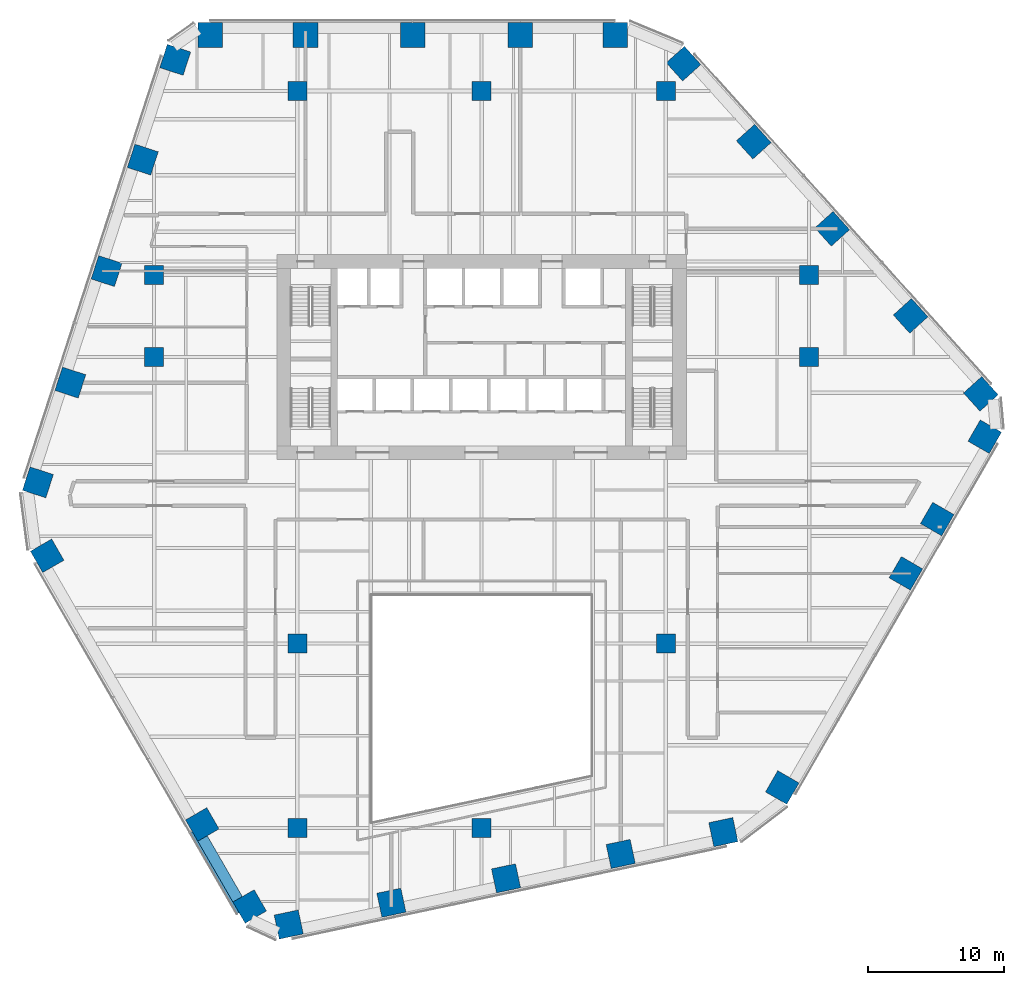
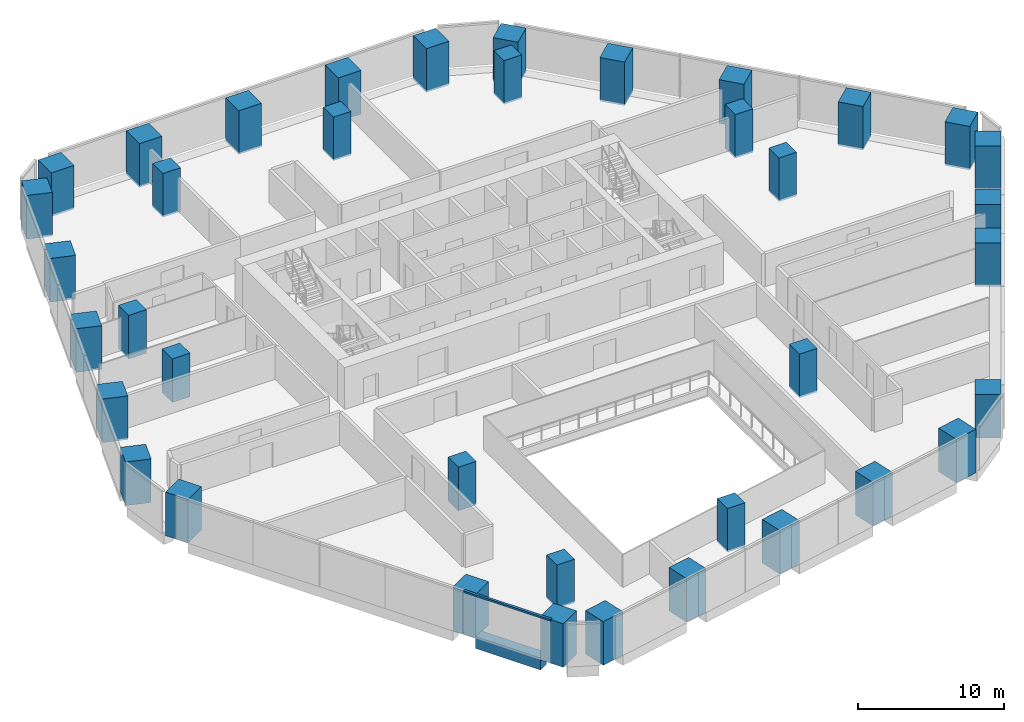
# One storey, part 1 of 20: 38 columns, 1 beam, 1 member, 1 element without a shape of its own.
"""IFC4 building model written with IfcOpenShell, lengths in metres."""

from ifc_helpers import new_model, si_unit, direction, frame, origin, origin_2d, place, context, subcontext, project, spatial, rectangle, extrude, material, layer, layer_set, material_profile, profile_set, type_object, element, aggregate, save


model = new_model("IFC4")

# Units and contexts
model_context = context("Model", 3, precision=1e-05, world=origin(), true_north=direction((0.0, 1.0)))
body_context = subcontext(model_context, "Body", "Model", "MODEL_VIEW")
ifc_project = project(units=[si_unit("LENGTHUNIT", "METRE"), si_unit("AREAUNIT", "SQUARE_METRE"), si_unit("VOLUMEUNIT", "CUBIC_METRE"), si_unit("PLANEANGLEUNIT", "RADIAN"), si_unit("MASSUNIT", "GRAM", prefix="KILO")], contexts=[model_context])

# Site, building, storey
site_placement = place(None, origin())
site = spatial("IfcSite", under=ifc_project, at=site_placement, CompositionType="ELEMENT")
building_placement = place(site_placement, origin())
building = spatial("IfcBuilding", under=site, at=building_placement, Name="Isthmus Gate Tower", CompositionType="ELEMENT")
storey_placement = place(building_placement, frame((0.0, 0.0, 61.550048828125)))
storey = spatial("IfcBuildingStorey", under=building, at=storey_placement, Name="L13", CompositionType="ELEMENT", Elevation=61.550048828125)

# Columns
ifc_material_1 = material(Name="Concrete f'c 70 MPa", Category="concrete")
ifc_material_profile_1 = material_profile(ifc_material_1, rectangle(XDim=1.39990234375, YDim=1.39990234375, at=origin_2d()), Name="RC 1400X1400")
ifc_profile_set_1 = profile_set([ifc_material_profile_1], Name="Concrete f'c 70 MPa")
column_type_1 = type_object("IfcColumnType", Name="RC INTERIOR COLUMN 1400 X 1400", PredefinedType="COLUMN", material=ifc_profile_set_1)
for number, where, z_axis, x_axis, name in (
    (1, (-24.0, 7.5, -0.150146484375), (0.0, 0.0, 1.0), (1.0, 0.0, 0.0), "str-icol-L13-ICA3"),
    (2, (-24.0, 13.5, -0.150146484375), (0.0, 0.0, 1.0), (1.0, 0.0, 0.0), "str-icol-L13-ICA4"),
    (3, (-13.5, -27.0, -0.150146484375), (0.0, 0.0, 1.0), (1.0, 0.0, 0.0), "str-icol-L13-ICB1"),
    (4, (-13.5, -13.5, -0.150146484375), (0.0, 0.0, 1.0), (1.0, 0.0, 0.0), "str-icol-L13-ICB2"),
    (5, (-13.5, 27.0, -0.150146484375), (0.0, 0.0, 1.0), (1.0, 0.0, 0.0), "str-icol-L13-ICB5"),
    (6, (0.0, -27.0, -0.150146484375), (0.0, 0.0, 1.0), (1.0, 0.0, 0.0), "str-icol-L13-ICC1"),
    (7, (0.0, 27.0, -0.150146484375), (0.0, 0.0, 1.0), (1.0, 0.0, 0.0), "str-icol-L13-ICC5"),
    (8, (13.5, -13.5, -0.150146484375), (0.0, 0.0, 1.0), (1.0, 0.0, 0.0), "str-icol-L13-ICD2"),
    (9, (13.5, 27.0, -0.150146484375), (0.0, 0.0, 1.0), (1.0, 0.0, 0.0), "str-icol-L13-ICD5"),
    (10, (24.0, 7.5, -0.150146484375), (0.0, 0.0, 1.0), (1.0, 0.0, 0.0), "str-icol-L13-ICE3"),
    (11, (24.0, 13.5, -0.150146484375), (0.0, 0.0, 1.0), (1.0, 0.0, 0.0), "str-icol-L13-ICE4"),
):
    element("IfcColumn", number, at=place(storey_placement, frame(where, z_axis=z_axis, x_axis=x_axis)), inside=storey, type_object=column_type_1, Name=name, PredefinedType="COLUMN", context=body_context, shape_type="SweptSolid", body=[
        extrude(rectangle(XDim=1.39990234375, YDim=1.39990234375, at=origin_2d()), origin(), (0.0, 0.0, 1.0), 3.650146484375),
    ])
ifc_material_2 = material(Name="Concrete f'c 70 MPa", Category="concrete")
ifc_material_profile_2 = material_profile(ifc_material_2, rectangle(XDim=1.800048828125, YDim=1.800048828125, at=origin_2d()), Name="RC 1800X1800")
ifc_profile_set_2 = profile_set([ifc_material_profile_2], Name="Concrete f'c 70 MPa")
column_type_2 = type_object("IfcColumnType", Name="RC TUBE COLUMN 1800 X 1800", PredefinedType="COLUMN", material=ifc_profile_set_2)
for number, where, z_axis, x_axis, name in (
    (12, (9.8017578125, 31.10009765625, -0.150146484375), (0.0, 0.0, 1.0), (-1.0, 0.0, 0.0), "str-tcol-L13-T1N0"),
    (13, (2.832275390625, 31.10009765625, -0.150146484375), (0.0, 0.0, 1.0), (-1.0, 0.0, 0.0), "str-tcol-L13-T1N1"),
    (14, (-5.037109375, 31.10009765625, -0.150146484375), (0.0, 0.0, 1.0), (-1.0, 0.0, 0.0), "str-tcol-L13-T1N2"),
    (15, (-12.90673828125, 31.10009765625, -0.150146484375), (0.0, 0.0, 1.0), (-1.0, 0.0, 0.0), "str-tcol-L13-T1N3"),
    (16, (-19.876220703125, 31.10009765625, -0.150146484375), (0.0, 0.0, 1.0), (-1.0, 0.0, 0.0), "str-tcol-L13-T1N4"),
    (17, (-22.451171875, 29.281005859375, -0.150146484375), (0.0, 0.0, 1.0), (-0.309016994375, -0.951056516295, 0.0), "str-tcol-L13-T1NW0"),
    (18, (-24.827392578125, 21.9677734375, -0.150146484375), (0.0, 0.0, 1.0), (-0.309016994375, -0.951056516295, 0.0), "str-tcol-L13-T1NW1"),
    (19, (-27.481689453125, 13.798828125, -0.150146484375), (0.0, 0.0, 1.0), (-0.309016994375, -0.951056516295, 0.0), "str-tcol-L13-T1NW2"),
    (20, (-30.135986328125, 5.6298828125, -0.150146484375), (0.0, 0.0, 1.0), (-0.309016994375, -0.951056516295, 0.0), "str-tcol-L13-T1NW3"),
    (21, (-32.511962890625, -1.68310546875, -0.150146484375), (0.0, 0.0, 1.0), (-0.309016994375, -0.951056516295, 0.0), "str-tcol-L13-T1NW4"),
    (22, (-31.834228515625, -7.061279296875, -0.150146484375), (0.0, 0.0, 1.0), (0.5, -0.866025403784, 0.0), "str-tcol-L13-T1SW0"),
    (23, (-20.467041015625, -26.75, -0.150146484375), (0.0, 0.0, 1.0), (0.5, -0.866025403784, 0.0), "str-tcol-L13-T1SW2"),
    (24, (-16.995361328125, -32.763427734375, -0.150146484375), (0.0, 0.0, 1.0), (0.5, -0.866025403784, 0.0), "str-tcol-L13-T1SW3"),
    (25, (-14.13232421875, -34.083740234375, -0.150146484375), (0.0, 0.0, 1.0), (0.978147600734, 0.207911690818, 0.0), "str-tcol-L13-T1S0"),
    (26, (-6.611083984375, -32.485107421875, -0.150146484375), (0.0, 0.0, 1.0), (0.978147600734, 0.207911690818, 0.0), "str-tcol-L13-T1S1"),
    (27, (1.79052734375, -30.69921875, -0.150146484375), (0.0, 0.0, 1.0), (0.978147600734, 0.207911690818, 0.0), "str-tcol-L13-T1S2"),
    (28, (10.192138671875, -28.91357421875, -0.150146484375), (0.0, 0.0, 1.0), (0.978147600734, 0.207911690818, 0.0), "str-tcol-L13-T1S3"),
    (29, (17.713623046875, -27.314697265625, -0.150146484375), (0.0, 0.0, 1.0), (0.978147600734, 0.207911690818, 0.0), "str-tcol-L13-T1S4"),
    (30, (22.032470703125, -24.03857421875, -0.150146484375), (0.0, 0.0, 1.0), (0.5, 0.866025403784, 0.0), "str-tcol-L13-T1SE0"),
    (31, (31.09033203125, -8.35009765625, -0.150146484375), (0.0, 0.0, 1.0), (0.5, 0.866025403784, 0.0), "str-tcol-L13-T1SE1"),
    (32, (33.38671875, -4.37255859375, -0.150146484375), (0.0, 0.0, 1.0), (0.5, 0.866025403784, 0.0), "str-tcol-L13-T1SE2"),
    (33, (36.87158203125, 1.663330078125, -0.150146484375), (0.0, 0.0, 1.0), (0.5, 0.866025403784, 0.0), "str-tcol-L13-T1SE3"),
    (34, (36.583740234375, 4.802978515625, -0.150146484375), (0.0, 0.0, 1.0), (-0.669130606359, 0.743144825477, 0.0), "str-tcol-L13-T1NE0"),
    (35, (31.4384765625, 10.517333984375, -0.150146484375), (0.0, 0.0, 1.0), (-0.669130606359, 0.743144825477, 0.0), "str-tcol-L13-T1NE1"),
    (36, (25.691162109375, 16.900390625, -0.150146484375), (0.0, 0.0, 1.0), (-0.669130606359, 0.743144825477, 0.0), "str-tcol-L13-T1NE2"),
    (37, (19.943603515625, 23.283447265625, -0.150146484375), (0.0, 0.0, 1.0), (-0.669130606359, 0.743144825477, 0.0), "str-tcol-L13-T1NE3"),
    (38, (14.798583984375, 28.997802734375, -0.150146484375), (0.0, 0.0, 1.0), (-0.669130606359, 0.743144825477, 0.0), "str-tcol-L13-T1NE4"),
):
    element("IfcColumn", number, at=place(storey_placement, frame(where, z_axis=z_axis, x_axis=x_axis)), inside=storey, type_object=column_type_2, Name=name, PredefinedType="COLUMN", context=body_context, shape_type="SweptSolid", body=[
        extrude(rectangle(XDim=1.800048828125, YDim=1.800048828125, at=origin_2d()), origin(), (0.0, 0.0, 1.0), 3.650146484375),
    ])

# Curtain wall, member
ifc_material_3 = material(Name="Aluminium, pale champagne anodised", Category="aluminium")
ifc_layer = layer(ifc_material_3, 0.199951171875)
ifc_layer_set = layer_set([ifc_layer], Name="CW-1 UNITISED CURTAIN WALL 200 DEEP")
curtain_wall_type = type_object("IfcCurtainWallType", Name="CW-1 UNITISED CURTAIN WALL 200 DEEP", PredefinedType="NOTDEFINED", material=ifc_layer_set)
curtain_wall_placement = place(storey_placement, origin())
curtain_wall = element("IfcCurtainWall", 39, at=curtain_wall_placement, inside=storey, type_object=curtain_wall_type, Name="CW-1 SW L13", PredefinedType="NOTDEFINED")
ifc_material_4 = material(Name="Aluminium, pale champagne anodised", Category="aluminium")
ifc_material_profile_3 = material_profile(ifc_material_4, rectangle(XDim=0.199951171875, YDim=0.14990234375, at=origin_2d()), Name="200x150")
ifc_profile_set_3 = profile_set([ifc_material_profile_3], Name="Aluminium, pale champagne anodised")
member_type = type_object("IfcMemberType", Name="CW-1 TRANSOM 200 X 150", PredefinedType="USERDEFINED", material=ifc_profile_set_3)
member_placement = place(storey_placement, frame((-21.302978515625, -27.302001953125, 3.574951171875), z_axis=(0.499980345582, -0.86603675097, 0.0), x_axis=(0.86603675097, 0.499980345582, 0.0)))
member = element("IfcMember", 40, at=member_placement, type_object=member_type, Name="CW-1 transom", ObjectType="TRANSOM", PredefinedType="USERDEFINED", context=body_context, shape_type="SweptSolid", body=[
    extrude(rectangle(XDim=0.199951171875, YDim=0.14990234375, at=origin_2d()), origin(), (0.0, 0.0, 1.0), 6.883544921875),
])
aggregate(curtain_wall, [member])

# Beam
ifc_material_5 = material(Name="Concrete f'c 70 MPa", Category="concrete")
ifc_material_profile_4 = material_profile(ifc_material_5, rectangle(XDim=0.800048828125, YDim=1.0, at=origin_2d()), Name="RC 800X1000")
ifc_profile_set_4 = profile_set([ifc_material_profile_4], Name="Concrete f'c 70 MPa")
beam_type = type_object("IfcBeamType", Name="RC SPANDREL 800 X 1000", PredefinedType="SPANDREL", material=ifc_profile_set_4)
beam_placement = place(storey_placement, frame((-17.878173828125, -32.23388671875, -0.5), z_axis=(-0.500044296292, 0.865999827798, 0.0), x_axis=(-0.865999827798, -0.500044296292, 0.0)))
element("IfcBeam", 41, at=beam_placement, inside=storey, type_object=beam_type, Name="str-spandrel-L13-15", PredefinedType="SPANDREL", context=body_context, shape_type="SweptSolid", body=[
    extrude(rectangle(XDim=0.800048828125, YDim=1.0, at=origin_2d()), origin(), (0.0, 0.0, 1.0), 5.1435546875),
])

save(model, "model.ifc")
